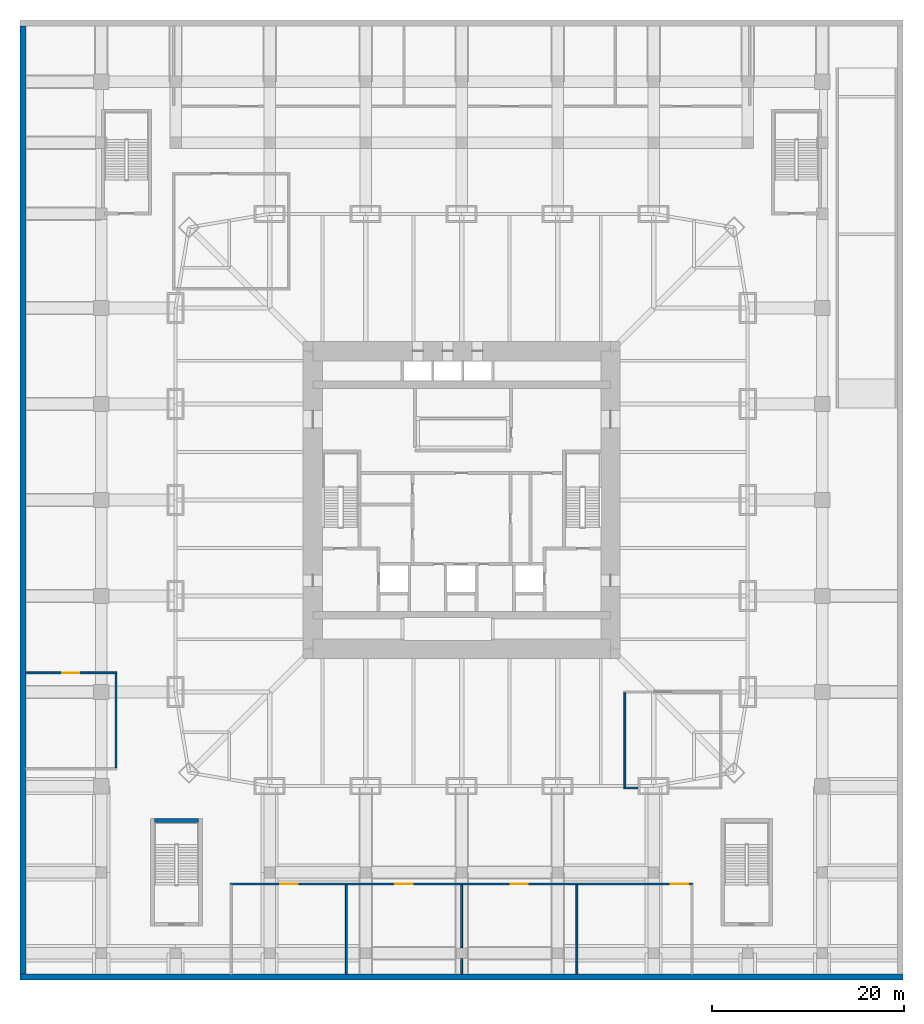
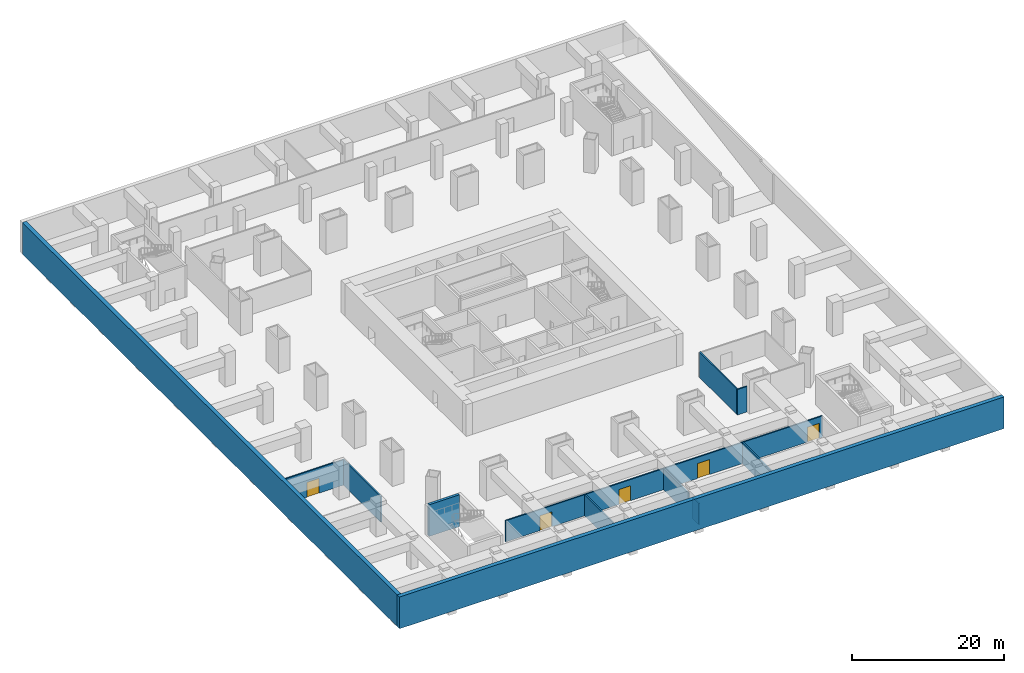
# One storey, part 5 of 12: 12 walls, 5 doors, 5 openings.
"""IFC4 building model written with IfcOpenShell, lengths in metres."""

from ifc_helpers import new_model, si_unit, direction, frame, frame_2d, origin, place, context, subcontext, project, spatial, rectangle, extrude, material, layer, layer_set, type_object, element, fill, save


model = new_model("IFC4")

# Units and contexts
model_context = context("Model", 3, precision=1e-05, world=origin(), true_north=direction((0.0, 1.0)))
body_context = subcontext(model_context, "Body", "Model", "MODEL_VIEW")
ifc_project = project(units=[si_unit("LENGTHUNIT", "METRE"), si_unit("AREAUNIT", "SQUARE_METRE"), si_unit("VOLUMEUNIT", "CUBIC_METRE"), si_unit("PLANEANGLEUNIT", "RADIAN"), si_unit("MASSUNIT", "GRAM", prefix="KILO")], contexts=[model_context])

# Site, building, storey
site_placement = place(None, origin())
site = spatial("IfcSite", under=ifc_project, at=site_placement, CompositionType="ELEMENT")
building_placement = place(site_placement, origin())
building = spatial("IfcBuilding", under=site, at=building_placement, Name="Khuree Lantern Residences", CompositionType="ELEMENT")
storey_placement = place(building_placement, frame((0.0, 0.0, -5.39990234375)))
storey = spatial("IfcBuildingStorey", under=building, at=storey_placement, Name="B1", CompositionType="ELEMENT", Elevation=-5.39990234375)

# Walls
ifc_material_1 = material(Name="Dense concrete blockwork", Category="masonry")
ifc_layer_1 = layer(ifc_material_1, 0.199951171875)
ifc_layer_set_1 = layer_set([ifc_layer_1], Name="FIRE-RATED ROOM WALL FRW200 EI 120")
wall_type_1 = type_object("IfcWallType", Name="FIRE-RATED ROOM WALL FRW200 EI 120", PredefinedType="SOLIDWALL", material=ifc_layer_set_1)
wall_1_placement = place(storey_placement, frame((-12.0, -49.3798828125, 0.0), z_axis=(0.0, 0.0, 1.0), x_axis=(0.0, 1.0, 0.0)))
element("IfcWall", 1, at=wall_1_placement, inside=storey, type_object=wall_type_1, Name="B1 ROOM WALL 2", PredefinedType="SOLIDWALL", context=body_context, shape_type="SweptSolid", body=[
    extrude(rectangle(XDim=9.27978515625, YDim=0.199951171875, at=frame_2d((4.639892578125, 0.0))), origin(), (0.0, 0.0, 1.0), 3.39990234375),
])
wall_2_placement = place(storey_placement, frame((0.0, -49.3798828125, 0.0), z_axis=(0.0, 0.0, 1.0), x_axis=(0.0, 1.0, 0.0)))
element("IfcWall", 2, at=wall_2_placement, inside=storey, type_object=wall_type_1, Name="B1 ROOM WALL 3", PredefinedType="SOLIDWALL", context=body_context, shape_type="SweptSolid", body=[
    extrude(rectangle(XDim=1.599853515625, YDim=0.199951171875, at=frame_2d((0.7998046875, 0.0))), origin(), (0.0, 0.0, 1.0), 3.39990234375),
])
wall_3_placement = place(storey_placement, frame((12.0, -49.3798828125, 0.0), z_axis=(0.0, 0.0, 1.0), x_axis=(0.0, 1.0, 0.0)))
element("IfcWall", 3, at=wall_3_placement, inside=storey, type_object=wall_type_1, Name="B1 ROOM WALL 4", PredefinedType="SOLIDWALL", context=body_context, shape_type="SweptSolid", body=[
    extrude(rectangle(XDim=9.27978515625, YDim=0.199951171875, at=frame_2d((4.639892578125, 0.0))), origin(), (0.0, 0.0, 1.0), 3.39990234375),
])
wall_4_placement = place(storey_placement, frame((0.0, -46.619873046875, 0.0), z_axis=(0.0, 0.0, 1.0), x_axis=(0.0, 1.0, 0.0)))
element("IfcWall", 4, at=wall_4_placement, inside=storey, type_object=wall_type_1, Name="B1 ROOM WALL 6", PredefinedType="SOLIDWALL", context=body_context, shape_type="SweptSolid", body=[
    extrude(rectangle(XDim=6.519775390625, YDim=0.199951171875, at=frame_2d((3.259765625, 0.0))), origin(), (0.0, 0.0, 1.0), 3.39990234375),
])

# Wall, openings, doors
wall_5_placement = place(storey_placement, frame((-24.10009765625, -40.0, 0.0), z_axis=(0.0, 0.0, 1.0), x_axis=(1.0, 0.0, 0.0)))
wall_5 = element("IfcWall", 5, at=wall_5_placement, inside=storey, type_object=wall_type_1, Name="B1 ROOM WALL 7", PredefinedType="SOLIDWALL", context=body_context, shape_type="SweptSolid", body=[
    extrude(rectangle(XDim=48.2001953125, YDim=0.199951171875, at=frame_2d((24.10009765625, 0.0))), origin(), (0.0, 0.0, 1.0), 3.39990234375),
])
opening_1_placement = place(wall_5_placement, frame((5.2099609375, 0.0, 0.0)))
opening_1 = element("IfcOpeningElement", 6, at=opening_1_placement, cuts=wall_5, Name="Opening B1-026", PredefinedType="OPENING", context=body_context, shape_type="SweptSolid", body=[
    extrude(rectangle(XDim=1.800048828125, YDim=2.39990234375, at=frame_2d((0.89990234375, 1.199951171875))), frame((0.0, 0.10986328125, 0.0), z_axis=(0.0, -1.0, 0.0), x_axis=(1.0, 0.0, 0.0)), (0.0, 0.0, 1.0), 0.219970703125),
])
opening_2_placement = place(wall_5_placement, frame((17.2099609375, 0.0, 0.0)))
opening_2 = element("IfcOpeningElement", 7, at=opening_2_placement, cuts=wall_5, Name="Opening B1-027", PredefinedType="OPENING", context=body_context, shape_type="SweptSolid", body=[
    extrude(rectangle(XDim=1.800048828125, YDim=2.39990234375, at=frame_2d((0.89990234375, 1.199951171875))), frame((0.0, 0.10986328125, 0.0), z_axis=(0.0, -1.0, 0.0), x_axis=(1.0, 0.0, 0.0)), (0.0, 0.0, 1.0), 0.219970703125),
])
opening_3_placement = place(wall_5_placement, frame((29.2099609375, 0.0, 0.0)))
opening_3 = element("IfcOpeningElement", 8, at=opening_3_placement, cuts=wall_5, Name="Opening B1-028", PredefinedType="OPENING", context=body_context, shape_type="SweptSolid", body=[
    extrude(rectangle(XDim=1.800048828125, YDim=2.39990234375, at=frame_2d((0.89990234375, 1.199951171875))), frame((0.0, 0.10986328125, 0.0), z_axis=(0.0, -1.0, 0.0), x_axis=(1.0, 0.0, 0.0)), (0.0, 0.0, 1.0), 0.219970703125),
])
opening_4_placement = place(wall_5_placement, frame((45.909912109375, 0.0, 0.0)))
opening_4 = element("IfcOpeningElement", 9, at=opening_4_placement, cuts=wall_5, Name="Opening B1-029", PredefinedType="OPENING", context=body_context, shape_type="SweptSolid", body=[
    extrude(rectangle(XDim=1.800048828125, YDim=2.39990234375, at=frame_2d((0.89990234375, 1.199951171875))), frame((0.0, 0.10986328125, 0.0), z_axis=(0.0, -1.0, 0.0), x_axis=(1.0, 0.0, 0.0)), (0.0, 0.0, 1.0), 0.219970703125),
])
ifc_material_2 = material(Name="Timber door leaf in hardwood frame", Category="wood")
door_type_1 = type_object("IfcDoorType", Name="DOUBLE DOOR 1800X2400", OperationType="DOUBLE_DOOR_SINGLE_SWING", PredefinedType="DOOR", material=ifc_material_2)
door_1_placement = place(opening_1_placement, origin())
door_1 = element("IfcDoor", 10, at=door_1_placement, inside=storey, type_object=door_type_1, Name="Bicycle store door B1-026", OperationType="DOUBLE_DOOR_SINGLE_SWING", OverallHeight=2.39990234375, OverallWidth=1.800048828125, PredefinedType="DOOR", context=body_context, shape_type="SweptSolid", body=[
    extrude(rectangle(XDim=1.800048828125, YDim=2.39990234375, at=frame_2d((0.89990234375, 1.199951171875))), frame((0.0, 0.02490234375, 0.0), z_axis=(0.0, -1.0, 0.0), x_axis=(1.0, 0.0, 0.0)), (0.0, 0.0, 1.0), 0.050048828125),
])
fill(opening_1, door_1)
ifc_material_3 = material(Name="Steel door leaf in steel frame", Category="steel")
door_type_2 = type_object("IfcDoorType", Name="PLANT ROOM DOOR 1800X2400 EI 120", OperationType="DOUBLE_DOOR_SINGLE_SWING", PredefinedType="DOOR", material=ifc_material_3)
door_2_placement = place(opening_4_placement, origin())
door_2 = element("IfcDoor", 11, at=door_2_placement, inside=storey, type_object=door_type_2, Name="Substation door B1-029", OperationType="DOUBLE_DOOR_SINGLE_SWING", OverallHeight=2.39990234375, OverallWidth=1.800048828125, PredefinedType="DOOR", context=body_context, shape_type="SweptSolid", body=[
    extrude(rectangle(XDim=1.800048828125, YDim=2.39990234375, at=frame_2d((0.89990234375, 1.199951171875))), frame((0.0, 0.02490234375, 0.0), z_axis=(0.0, -1.0, 0.0), x_axis=(1.0, 0.0, 0.0)), (0.0, 0.0, 1.0), 0.050048828125),
])
fill(opening_4, door_2)
door_type_3 = type_object("IfcDoorType", Name="PLANT ROOM DOOR 1800X2400 EI 60", OperationType="DOUBLE_DOOR_SINGLE_SWING", PredefinedType="DOOR", material=ifc_material_3)
door_3_placement = place(opening_2_placement, origin())
door_3 = element("IfcDoor", 12, at=door_3_placement, inside=storey, type_object=door_type_3, Name="Main switch room door B1-027", OperationType="DOUBLE_DOOR_SINGLE_SWING", OverallHeight=2.39990234375, OverallWidth=1.800048828125, PredefinedType="DOOR", context=body_context, shape_type="SweptSolid", body=[
    extrude(rectangle(XDim=1.800048828125, YDim=2.39990234375, at=frame_2d((0.89990234375, 1.199951171875))), frame((0.0, 0.02490234375, 0.0), z_axis=(0.0, -1.0, 0.0), x_axis=(1.0, 0.0, 0.0)), (0.0, 0.0, 1.0), 0.050048828125),
])
fill(opening_2, door_3)
door_4_placement = place(opening_3_placement, origin())
door_4 = element("IfcDoor", 13, at=door_4_placement, inside=storey, type_object=door_type_3, Name="Sprinkler pump room door B1-028", OperationType="DOUBLE_DOOR_SINGLE_SWING", OverallHeight=2.39990234375, OverallWidth=1.800048828125, PredefinedType="DOOR", context=body_context, shape_type="SweptSolid", body=[
    extrude(rectangle(XDim=1.800048828125, YDim=2.39990234375, at=frame_2d((0.89990234375, 1.199951171875))), frame((0.0, 0.02490234375, 0.0), z_axis=(0.0, -1.0, 0.0), x_axis=(1.0, 0.0, 0.0)), (0.0, 0.0, 1.0), 0.050048828125),
])
fill(opening_3, door_4)

# Walls
wall_6_placement = place(storey_placement, frame((16.89990234375, -30.0, 0.0), z_axis=(0.0, 0.0, 1.0), x_axis=(1.0, 0.0, 0.0)))
element("IfcWall", 14, at=wall_6_placement, inside=storey, type_object=wall_type_1, Name="B1 ROOM WALL 8", PredefinedType="SOLIDWALL", context=body_context, shape_type="SweptSolid", body=[
    extrude(rectangle(XDim=1.469970703125, YDim=0.199951171875, at=frame_2d((0.73486328125, 0.0))), origin(), (0.0, 0.0, 1.0), 4.099853515625),
])
for number, where, z_axis, x_axis, name in (
    (15, (17.0, -29.89990234375, 0.0), (0.0, 0.0, 1.0), (0.0, 1.0, 0.0), "B1 ROOM WALL 10"),
    (16, (-36.0, -27.89990234375, 0.0), (0.0, 0.0, 1.0), (0.0, 1.0, 0.0), "B1 ROOM WALL 13"),
):
    element("IfcWall", number, at=place(storey_placement, frame(where, z_axis=z_axis, x_axis=x_axis)), inside=storey, type_object=wall_type_1, Name=name, PredefinedType="SOLIDWALL", context=body_context, shape_type="SweptSolid", body=[
        extrude(rectangle(XDim=9.7998046875, YDim=0.199951171875, at=frame_2d((4.89990234375, 0.0))), origin(), (0.0, 0.0, 1.0), 4.099853515625),
    ])

# Wall, opening, door
wall_7_placement = place(storey_placement, frame((-45.3798828125, -18.0, 0.0), z_axis=(0.0, 0.0, 1.0), x_axis=(1.0, 0.0, 0.0)))
wall_7 = element("IfcWall", 17, at=wall_7_placement, inside=storey, type_object=wall_type_1, Name="B1 ROOM WALL 15", PredefinedType="SOLIDWALL", context=body_context, shape_type="SweptSolid", body=[
    extrude(rectangle(XDim=9.47998046875, YDim=0.199951171875, at=frame_2d((4.739990234375, 0.0))), origin(), (0.0, 0.0, 1.0), 4.099853515625),
])
opening_5_placement = place(wall_7_placement, frame((3.77001953125, 0.0, 0.0)))
opening_5 = element("IfcOpeningElement", 18, at=opening_5_placement, cuts=wall_7, Name="Opening B1-025", PredefinedType="OPENING", context=body_context, shape_type="SweptSolid", body=[
    extrude(rectangle(XDim=1.800048828125, YDim=2.39990234375, at=frame_2d((0.89990234375, 1.199951171875))), frame((0.0, 0.10986328125, 0.0), z_axis=(0.0, -1.0, 0.0), x_axis=(1.0, 0.0, 0.0)), (0.0, 0.0, 1.0), 0.219970703125),
])
door_type_4 = type_object("IfcDoorType", Name="DOUBLE DOOR 1800X2400 EI 60", OperationType="DOUBLE_DOOR_SINGLE_SWING", PredefinedType="DOOR", material=ifc_material_3)
door_5_placement = place(opening_5_placement, origin())
door_5 = element("IfcDoor", 19, at=door_5_placement, inside=storey, type_object=door_type_4, Name="Refuse store door B1-025", OperationType="DOUBLE_DOOR_SINGLE_SWING", OverallHeight=2.39990234375, OverallWidth=1.800048828125, PredefinedType="DOOR", context=body_context, shape_type="SweptSolid", body=[
    extrude(rectangle(XDim=1.800048828125, YDim=2.39990234375, at=frame_2d((0.89990234375, 1.199951171875))), frame((0.0, 0.02490234375, 0.0), z_axis=(0.0, -1.0, 0.0), x_axis=(1.0, 0.0, 0.0)), (0.0, 0.0, 1.0), 0.050048828125),
])
fill(opening_5, door_5)

# Walls
ifc_material_4 = material(Name="Concrete C40/50", Category="concrete")
ifc_layer_2 = layer(ifc_material_4, 0.60009765625)
ifc_layer_set_2 = layer_set([ifc_layer_2], Name="RW1 BASEMENT RETAINING WALL 600")
wall_type_2 = type_object("IfcWallType", Name="RW1 BASEMENT RETAINING WALL 600", PredefinedType="SOLIDWALL", material=ifc_layer_set_2)
wall_8_placement = place(storey_placement, frame((-46.0, -49.699951171875, -0.300048828125), z_axis=(0.0, 0.0, 1.0), x_axis=(1.0, 0.0, 0.0)))
element("IfcWall", 20, at=wall_8_placement, inside=storey, type_object=wall_type_2, Name="Retaining wall S", PredefinedType="SOLIDWALL", context=body_context, shape_type="SweptSolid", body=[
    extrude(rectangle(XDim=92.0, YDim=0.60009765625, at=frame_2d((46.0, 0.0))), origin(), (0.0, 0.0, 1.0), 5.099853515625),
])
wall_9_placement = place(storey_placement, frame((-45.699951171875, -49.39990234375, -0.300048828125), z_axis=(0.0, 0.0, 1.0), x_axis=(0.0, 1.0, 0.0)))
element("IfcWall", 21, at=wall_9_placement, inside=storey, type_object=wall_type_2, Name="Retaining wall W", PredefinedType="SOLIDWALL", context=body_context, shape_type="SweptSolid", body=[
    extrude(rectangle(XDim=98.7998046875, YDim=0.60009765625, at=frame_2d((49.39990234375, 0.0))), origin(), (0.0, 0.0, 1.0), 5.099853515625),
])
ifc_layer_3 = layer(ifc_material_4, 0.39990234375)
ifc_layer_set_3 = layer_set([ifc_layer_3], Name="STAIR WALL BSW400 REI 240")
wall_type_3 = type_object("IfcWallType", Name="STAIR WALL BSW400 REI 240", PredefinedType="SOLIDWALL", material=ifc_layer_set_3)
wall_10_placement = place(storey_placement, frame((-32.0, -33.39990234375, -0.300048828125), z_axis=(0.0, 0.0, 1.0), x_axis=(1.0, 0.0, 0.0)))
element("IfcWall", 22, at=wall_10_placement, inside=storey, type_object=wall_type_3, Name="B1 STAIR ST5 WALL N", PredefinedType="SOLIDWALL", context=body_context, shape_type="SweptSolid", body=[
    extrude(rectangle(XDim=4.60009765625, YDim=0.39990234375, at=frame_2d((2.300048828125, 0.0))), origin(), (0.0, 0.0, 1.0), 5.099853515625),
])

save(model, "model.ifc")
